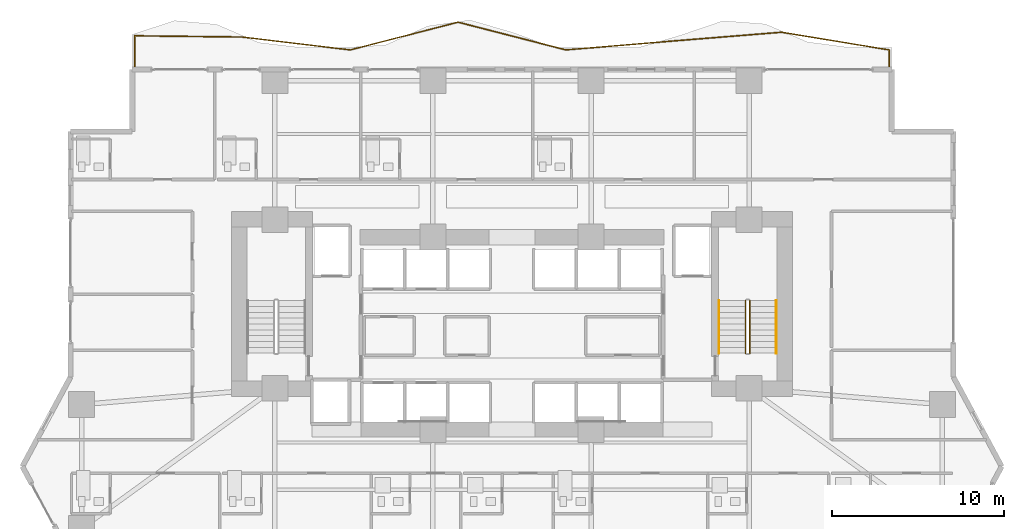
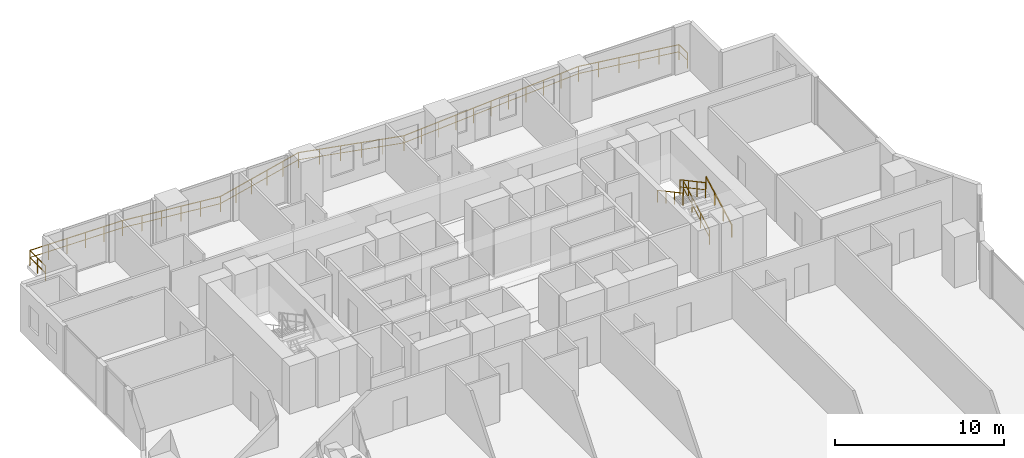
# One storey, part 27 of 29: 5 railings.
"""IFC4 building model written with IfcOpenShell, lengths in metres."""

from ifc_helpers import new_model, si_unit, direction, frame, origin, origin_2d, place, context, subcontext, project, spatial, rectangle, extrude, material, type_object, element, save


model = new_model("IFC4")

# Units and contexts
model_context = context("Model", 3, precision=1e-05, world=origin(), true_north=direction((0.0, 1.0)))
body_context = subcontext(model_context, "Body", "Model", "MODEL_VIEW")
ifc_project = project(units=[si_unit("LENGTHUNIT", "METRE"), si_unit("AREAUNIT", "SQUARE_METRE"), si_unit("VOLUMEUNIT", "CUBIC_METRE"), si_unit("PLANEANGLEUNIT", "RADIAN"), si_unit("MASSUNIT", "GRAM", prefix="KILO")], contexts=[model_context])

# Site, building, storey
site_placement = place(None, origin())
site = spatial("IfcSite", under=ifc_project, at=site_placement, CompositionType="ELEMENT")
building_placement = place(site_placement, origin())
building = spatial("IfcBuilding", under=site, at=building_placement, Name="Zuhayl Quay Hotel", CompositionType="ELEMENT")
storey_placement = place(building_placement, frame((0.0, 0.0, 42.199951171875)))
storey = spatial("IfcBuildingStorey", under=building, at=storey_placement, Name="L09", CompositionType="ELEMENT", Elevation=42.199951171875)

# Railings
ifc_material_1 = material(Name="Anodised Aluminium and Laminated Glass", Category="aluminium")
railing_type_1 = type_object("IfcRailingType", Name="RL_EXT_BAL_1100", PredefinedType="BALUSTRADE", material=ifc_material_1)
railing_1_placement = place(storey_placement, frame((-21.9599609375, 23.219970703125, 0.0)))
element("IfcRailing", 1, at=railing_1_placement, inside=storey, type_object=railing_type_1, Name="L09 Balcony and Terrace Guard GR_L09_BAL_N", PredefinedType="BALUSTRADE", context=body_context, shape_type="SweptSolid", body=[
    extrude(rectangle(XDim=0.048095703125, YDim=0.048095703125, at=origin_2d()), frame((0.0, 0.0, 1.09619140625), z_axis=(0.0, 1.0, 0.0), x_axis=(-1.0, 0.0, 0.0)), (0.0, 0.0, 1.0), 1.841064453125),
    extrude(rectangle(XDim=0.0361328125, YDim=0.0361328125, at=origin_2d()), frame((0.0, 0.0, 0.58251953125), z_axis=(0.0, 1.0, 0.0), x_axis=(-1.0, 0.0, 0.0)), (0.0, 0.0, 1.0), 1.841064453125),
    extrude(rectangle(XDim=0.048095703125, YDim=0.048095703125, at=origin_2d()), frame((0.0, 1.841064453125, 1.09619140625), z_axis=(0.999935012406, -0.011400480899, 0.0), x_axis=(0.011400480899, 0.999935012406, 0.0)), (0.0, 0.0, 1.0), 6.274658203125),
    extrude(rectangle(XDim=0.0361328125, YDim=0.0361328125, at=origin_2d()), frame((0.0, 1.841064453125, 0.58251953125), z_axis=(0.999935012406, -0.011400480899, 0.0), x_axis=(0.011400480899, 0.999935012406, 0.0)), (0.0, 0.0, 1.0), 6.274658203125),
    extrude(rectangle(XDim=0.048095703125, YDim=0.048095703125, at=origin_2d()), frame((6.274169921875, 1.76953125, 1.09619140625), z_axis=(0.992940682079, -0.118611980311, 0.0), x_axis=(0.118611980311, 0.992940682079, 0.0)), (0.0, 0.0, 1.0), 6.319091796875),
    extrude(rectangle(XDim=0.0361328125, YDim=0.0361328125, at=origin_2d()), frame((6.274169921875, 1.76953125, 0.58251953125), z_axis=(0.992940682079, -0.118611980311, 0.0), x_axis=(0.118611980311, 0.992940682079, 0.0)), (0.0, 0.0, 1.0), 6.319091796875),
    extrude(rectangle(XDim=0.048095703125, YDim=0.048095703125, at=origin_2d()), frame((12.548583984375, 1.02001953125, 1.09619140625), z_axis=(0.968450328761, 0.249206662676, 0.0), x_axis=(-0.249206662676, 0.968450328761, 0.0)), (0.0, 0.0, 1.0), 6.478515625),
    extrude(rectangle(XDim=0.0361328125, YDim=0.0361328125, at=origin_2d()), frame((12.548583984375, 1.02001953125, 0.58251953125), z_axis=(0.968450328761, 0.249206662676, 0.0), x_axis=(-0.249206662676, 0.968450328761, 0.0)), (0.0, 0.0, 1.0), 6.478515625),
    extrude(rectangle(XDim=0.048095703125, YDim=0.048095703125, at=origin_2d()), frame((18.82275390625, 2.634521484375, 1.09619140625), z_axis=(0.968452668981, -0.249197568092, 0.0), x_axis=(0.249197568092, 0.968452668981, 0.0)), (0.0, 0.0, 1.0), 6.478759765625),
    extrude(rectangle(XDim=0.0361328125, YDim=0.0361328125, at=origin_2d()), frame((18.82275390625, 2.634521484375, 0.58251953125), z_axis=(0.968452668981, -0.249197568092, 0.0), x_axis=(0.249197568092, 0.968452668981, 0.0)), (0.0, 0.0, 1.0), 6.478759765625),
    extrude(rectangle(XDim=0.048095703125, YDim=0.048095703125, at=origin_2d()), frame((25.09716796875, 1.02001953125, 1.09619140625), z_axis=(0.996550837609, 0.082984504941, 0.0), x_axis=(-0.082984504941, 0.996550837609, 0.0)), (0.0, 0.0, 1.0), 6.2958984375),
    extrude(rectangle(XDim=0.0361328125, YDim=0.0361328125, at=origin_2d()), frame((25.09716796875, 1.02001953125, 0.58251953125), z_axis=(0.996550837609, 0.082984504941, 0.0), x_axis=(-0.082984504941, 0.996550837609, 0.0)), (0.0, 0.0, 1.0), 6.2958984375),
    extrude(rectangle(XDim=0.048095703125, YDim=0.048095703125, at=origin_2d()), frame((31.371337890625, 1.54248046875, 1.09619140625), z_axis=(0.996756432373, 0.080477416232, 0.0), x_axis=(-0.080477416232, 0.996756432373, 0.0)), (0.0, 0.0, 1.0), 6.294921875),
    extrude(rectangle(XDim=0.0361328125, YDim=0.0361328125, at=origin_2d()), frame((31.371337890625, 1.54248046875, 0.58251953125), z_axis=(0.996756432373, 0.080477416232, 0.0), x_axis=(-0.080477416232, 0.996756432373, 0.0)), (0.0, 0.0, 1.0), 6.294921875),
    extrude(rectangle(XDim=0.048095703125, YDim=0.048095703125, at=origin_2d()), frame((37.645751953125, 2.049072265625, 1.09619140625), z_axis=(0.986815100311, -0.161851653676, 0.0), x_axis=(0.161851653676, 0.986815100311, 0.0)), (0.0, 0.0, 1.0), 6.35791015625),
    extrude(rectangle(XDim=0.0361328125, YDim=0.0361328125, at=origin_2d()), frame((37.645751953125, 2.049072265625, 0.58251953125), z_axis=(0.986815100311, -0.161851653676, 0.0), x_axis=(0.161851653676, 0.986815100311, 0.0)), (0.0, 0.0, 1.0), 6.35791015625),
    extrude(rectangle(XDim=0.048095703125, YDim=0.048095703125, at=origin_2d()), frame((43.919921875, 1.02001953125, 1.09619140625), z_axis=(0.0, -1.0, 0.0), x_axis=(1.0, 0.0, 0.0)), (0.0, 0.0, 1.0), 1.02001953125),
    extrude(rectangle(XDim=0.0361328125, YDim=0.0361328125, at=origin_2d()), frame((43.919921875, 1.02001953125, 0.58251953125), z_axis=(0.0, -1.0, 0.0), x_axis=(1.0, 0.0, 0.0)), (0.0, 0.0, 1.0), 1.02001953125),
    extrude(rectangle(XDim=0.0419921875, YDim=0.0419921875, at=origin_2d()), origin(), (0.0, 0.0, 1.0), 1.072021484375),
    extrude(rectangle(XDim=0.0419921875, YDim=0.0419921875, at=origin_2d()), frame((0.0, 0.92041015625, 0.0)), (0.0, 0.0, 1.0), 1.072021484375),
    extrude(rectangle(XDim=0.0419921875, YDim=0.0419921875, at=origin_2d()), frame((0.0, 1.841064453125, 0.0)), (0.0, 0.0, 1.0), 1.072021484375),
    extrude(rectangle(XDim=0.0419921875, YDim=0.0419921875, at=origin_2d()), frame((1.2548828125, 1.82666015625, 0.0)), (0.0, 0.0, 1.0), 1.072021484375),
    extrude(rectangle(XDim=0.0419921875, YDim=0.0419921875, at=origin_2d()), frame((2.509765625, 1.8125, 0.0)), (0.0, 0.0, 1.0), 1.072021484375),
    extrude(rectangle(XDim=0.0419921875, YDim=0.0419921875, at=origin_2d()), frame((3.764404296875, 1.798095703125, 0.0)), (0.0, 0.0, 1.0), 1.072021484375),
    extrude(rectangle(XDim=0.0419921875, YDim=0.0419921875, at=origin_2d()), frame((5.019287109375, 1.783935546875, 0.0)), (0.0, 0.0, 1.0), 1.072021484375),
    extrude(rectangle(XDim=0.0419921875, YDim=0.0419921875, at=origin_2d()), frame((6.274169921875, 1.76953125, 0.0)), (0.0, 0.0, 1.0), 1.072021484375),
    extrude(rectangle(XDim=0.0419921875, YDim=0.0419921875, at=origin_2d()), frame((7.529052734375, 1.61962890625, 0.0)), (0.0, 0.0, 1.0), 1.072021484375),
    extrude(rectangle(XDim=0.0419921875, YDim=0.0419921875, at=origin_2d()), frame((8.783935546875, 1.4697265625, 0.0)), (0.0, 0.0, 1.0), 1.072021484375),
    extrude(rectangle(XDim=0.0419921875, YDim=0.0419921875, at=origin_2d()), frame((10.038818359375, 1.31982421875, 0.0)), (0.0, 0.0, 1.0), 1.072021484375),
    extrude(rectangle(XDim=0.0419921875, YDim=0.0419921875, at=origin_2d()), frame((11.293701171875, 1.169921875, 0.0)), (0.0, 0.0, 1.0), 1.072021484375),
    extrude(rectangle(XDim=0.0419921875, YDim=0.0419921875, at=origin_2d()), frame((12.548583984375, 1.02001953125, 0.0)), (0.0, 0.0, 1.0), 1.072021484375),
    extrude(rectangle(XDim=0.0419921875, YDim=0.0419921875, at=origin_2d()), frame((13.803466796875, 1.343017578125, 0.0)), (0.0, 0.0, 1.0), 1.072021484375),
    extrude(rectangle(XDim=0.0419921875, YDim=0.0419921875, at=origin_2d()), frame((15.058349609375, 1.665771484375, 0.0)), (0.0, 0.0, 1.0), 1.072021484375),
    extrude(rectangle(XDim=0.0419921875, YDim=0.0419921875, at=origin_2d()), frame((16.31298828125, 1.98876953125, 0.0)), (0.0, 0.0, 1.0), 1.072021484375),
    extrude(rectangle(XDim=0.0419921875, YDim=0.0419921875, at=origin_2d()), frame((17.56787109375, 2.3115234375, 0.0)), (0.0, 0.0, 1.0), 1.072021484375),
    extrude(rectangle(XDim=0.0419921875, YDim=0.0419921875, at=origin_2d()), frame((18.82275390625, 2.634521484375, 0.0)), (0.0, 0.0, 1.0), 1.072021484375),
    extrude(rectangle(XDim=0.0419921875, YDim=0.0419921875, at=origin_2d()), frame((20.07763671875, 2.3115234375, 0.0)), (0.0, 0.0, 1.0), 1.072021484375),
    extrude(rectangle(XDim=0.0419921875, YDim=0.0419921875, at=origin_2d()), frame((21.33251953125, 1.98876953125, 0.0)), (0.0, 0.0, 1.0), 1.072021484375),
    extrude(rectangle(XDim=0.0419921875, YDim=0.0419921875, at=origin_2d()), frame((22.58740234375, 1.665771484375, 0.0)), (0.0, 0.0, 1.0), 1.072021484375),
    extrude(rectangle(XDim=0.0419921875, YDim=0.0419921875, at=origin_2d()), frame((23.84228515625, 1.343017578125, 0.0)), (0.0, 0.0, 1.0), 1.072021484375),
    extrude(rectangle(XDim=0.0419921875, YDim=0.0419921875, at=origin_2d()), frame((25.09716796875, 1.02001953125, 0.0)), (0.0, 0.0, 1.0), 1.072021484375),
    extrude(rectangle(XDim=0.0419921875, YDim=0.0419921875, at=origin_2d()), frame((26.35205078125, 1.12451171875, 0.0)), (0.0, 0.0, 1.0), 1.072021484375),
    extrude(rectangle(XDim=0.0419921875, YDim=0.0419921875, at=origin_2d()), frame((27.60693359375, 1.22900390625, 0.0)), (0.0, 0.0, 1.0), 1.072021484375),
    extrude(rectangle(XDim=0.0419921875, YDim=0.0419921875, at=origin_2d()), frame((28.861572265625, 1.33349609375, 0.0)), (0.0, 0.0, 1.0), 1.072021484375),
    extrude(rectangle(XDim=0.0419921875, YDim=0.0419921875, at=origin_2d()), frame((30.116455078125, 1.43798828125, 0.0)), (0.0, 0.0, 1.0), 1.072021484375),
    extrude(rectangle(XDim=0.0419921875, YDim=0.0419921875, at=origin_2d()), frame((31.371337890625, 1.54248046875, 0.0)), (0.0, 0.0, 1.0), 1.072021484375),
    extrude(rectangle(XDim=0.0419921875, YDim=0.0419921875, at=origin_2d()), frame((32.626220703125, 1.643798828125, 0.0)), (0.0, 0.0, 1.0), 1.072021484375),
    extrude(rectangle(XDim=0.0419921875, YDim=0.0419921875, at=origin_2d()), frame((33.881103515625, 1.7451171875, 0.0)), (0.0, 0.0, 1.0), 1.072021484375),
    extrude(rectangle(XDim=0.0419921875, YDim=0.0419921875, at=origin_2d()), frame((35.135986328125, 1.846435546875, 0.0)), (0.0, 0.0, 1.0), 1.072021484375),
    extrude(rectangle(XDim=0.0419921875, YDim=0.0419921875, at=origin_2d()), frame((36.390869140625, 1.94775390625, 0.0)), (0.0, 0.0, 1.0), 1.072021484375),
    extrude(rectangle(XDim=0.0419921875, YDim=0.0419921875, at=origin_2d()), frame((37.645751953125, 2.049072265625, 0.0)), (0.0, 0.0, 1.0), 1.072021484375),
    extrude(rectangle(XDim=0.0419921875, YDim=0.0419921875, at=origin_2d()), frame((38.900634765625, 1.84326171875, 0.0)), (0.0, 0.0, 1.0), 1.072021484375),
    extrude(rectangle(XDim=0.0419921875, YDim=0.0419921875, at=origin_2d()), frame((40.155517578125, 1.637451171875, 0.0)), (0.0, 0.0, 1.0), 1.072021484375),
    extrude(rectangle(XDim=0.0419921875, YDim=0.0419921875, at=origin_2d()), frame((41.41015625, 1.431640625, 0.0)), (0.0, 0.0, 1.0), 1.072021484375),
    extrude(rectangle(XDim=0.0419921875, YDim=0.0419921875, at=origin_2d()), frame((42.6650390625, 1.225830078125, 0.0)), (0.0, 0.0, 1.0), 1.072021484375),
    extrude(rectangle(XDim=0.0419921875, YDim=0.0419921875, at=origin_2d()), frame((43.919921875, 1.02001953125, 0.0)), (0.0, 0.0, 1.0), 1.072021484375),
    extrude(rectangle(XDim=0.0419921875, YDim=0.0419921875, at=origin_2d()), frame((43.919921875, 0.0, 0.0)), (0.0, 0.0, 1.0), 1.072021484375),
])
ifc_material_2 = material(Name="Steel ASTM A992 Grade 50", Category="steel")
railing_type_2 = type_object("IfcRailingType", Name="RL_GUARD_1100", PredefinedType="GUARDRAIL", material=ifc_material_2)
railing_2_placement = place(storey_placement, frame((13.840087890625, 6.590087890625, 0.1826171875)))
element("IfcRailing", 2, at=railing_2_placement, inside=storey, type_object=railing_type_2, Name="L09 ST2 stair guard 1", PredefinedType="GUARDRAIL", context=body_context, shape_type="SweptSolid", body=[
    extrude(rectangle(XDim=0.048095703125, YDim=0.048095703125, at=origin_2d()), frame((0.0, 0.0, 1.09619140625), z_axis=(0.0, 0.881102395774, 0.472925541879), x_axis=(-1.0, 0.0, 0.0)), (0.0, 0.0, 1.0), 3.47265625),
    extrude(rectangle(XDim=0.0361328125, YDim=0.0361328125, at=origin_2d()), frame((0.0, 0.0, 0.58251953125), z_axis=(0.0, 0.881102395774, 0.472925541879), x_axis=(-1.0, 0.0, 0.0)), (0.0, 0.0, 1.0), 3.47265625),
    extrude(rectangle(XDim=0.0419921875, YDim=0.0419921875, at=origin_2d()), origin(), (0.0, 0.0, 1.0), 1.072021484375),
    extrude(rectangle(XDim=0.0419921875, YDim=0.0419921875, at=origin_2d()), frame((0.0, 1.02001953125, 0.54736328125)), (0.0, 0.0, 1.0), 1.072021484375),
    extrude(rectangle(XDim=0.0419921875, YDim=0.0419921875, at=origin_2d()), frame((0.0, 2.039794921875, 1.094970703125)), (0.0, 0.0, 1.0), 1.072021484375),
    extrude(rectangle(XDim=0.0419921875, YDim=0.0419921875, at=origin_2d()), frame((0.0, 3.059814453125, 1.642333984375)), (0.0, 0.0, 1.0), 1.072021484375),
])
railing_3_placement = place(storey_placement, frame((13.590087890625, 9.64990234375, 2.007568359375)))
element("IfcRailing", 3, at=railing_3_placement, inside=storey, type_object=railing_type_2, Name="L09 ST2 stair guard 3", PredefinedType="GUARDRAIL", context=body_context, shape_type="SweptSolid", body=[
    extrude(rectangle(XDim=0.048095703125, YDim=0.048095703125, at=origin_2d()), frame((0.0, 0.0, 1.09619140625), z_axis=(0.0, -0.88107310026, 0.472980117973), x_axis=(1.0, 0.0, 0.0)), (0.0, 0.0, 1.0), 3.472900390625),
    extrude(rectangle(XDim=0.0361328125, YDim=0.0361328125, at=origin_2d()), frame((0.0, 0.0, 0.58251953125), z_axis=(0.0, -0.88107310026, 0.472980117973), x_axis=(1.0, 0.0, 0.0)), (0.0, 0.0, 1.0), 3.472900390625),
    extrude(rectangle(XDim=0.0419921875, YDim=0.0419921875, at=origin_2d()), origin(), (0.0, 0.0, 1.0), 1.072021484375),
    extrude(rectangle(XDim=0.0419921875, YDim=0.0419921875, at=origin_2d()), frame((0.0, -1.02001953125, 0.547607421875)), (0.0, 0.0, 1.0), 1.072021484375),
    extrude(rectangle(XDim=0.0419921875, YDim=0.0419921875, at=origin_2d()), frame((0.0, -2.039794921875, 1.094970703125)), (0.0, 0.0, 1.0), 1.072021484375),
    extrude(rectangle(XDim=0.0419921875, YDim=0.0419921875, at=origin_2d()), frame((0.0, -3.059814453125, 1.642578125)), (0.0, 0.0, 1.0), 1.072021484375),
])
railing_type_3 = type_object("IfcRailingType", Name="RL_HANDRAIL_920", PredefinedType="HANDRAIL", material=ifc_material_2)
railing_4_placement = place(storey_placement, frame((15.3798828125, 6.590087890625, 0.1826171875)))
element("IfcRailing", 4, at=railing_4_placement, inside=storey, type_object=railing_type_3, Name="L09 ST2 stair handrail 1", PredefinedType="HANDRAIL", context=body_context, shape_type="SweptSolid", body=[
    extrude(rectangle(XDim=0.048095703125, YDim=0.048095703125, at=origin_2d()), frame((0.0, 0.0, 0.8759765625), z_axis=(0.0, 0.881102395774, 0.472925541879), x_axis=(-1.0, 0.0, 0.0)), (0.0, 0.0, 1.0), 3.47265625),
    extrude(rectangle(XDim=0.0419921875, YDim=0.0419921875, at=origin_2d()), origin(), (0.0, 0.0, 1.0), 0.851806640625),
    extrude(rectangle(XDim=0.0419921875, YDim=0.0419921875, at=origin_2d()), frame((0.0, 1.02001953125, 0.54736328125)), (0.0, 0.0, 1.0), 0.851806640625),
    extrude(rectangle(XDim=0.0419921875, YDim=0.0419921875, at=origin_2d()), frame((0.0, 2.039794921875, 1.094970703125)), (0.0, 0.0, 1.0), 0.851806640625),
    extrude(rectangle(XDim=0.0419921875, YDim=0.0419921875, at=origin_2d()), frame((0.0, 3.059814453125, 1.642333984375)), (0.0, 0.0, 1.0), 0.851806640625),
])
railing_5_placement = place(storey_placement, frame((12.050048828125, 9.64990234375, 2.007568359375)))
element("IfcRailing", 5, at=railing_5_placement, inside=storey, type_object=railing_type_3, Name="L09 ST2 stair handrail 2", PredefinedType="HANDRAIL", context=body_context, shape_type="SweptSolid", body=[
    extrude(rectangle(XDim=0.048095703125, YDim=0.048095703125, at=origin_2d()), frame((0.0, 0.0, 0.8759765625), z_axis=(0.0, -0.88107310026, 0.472980117973), x_axis=(1.0, 0.0, 0.0)), (0.0, 0.0, 1.0), 3.472900390625),
    extrude(rectangle(XDim=0.0419921875, YDim=0.0419921875, at=origin_2d()), origin(), (0.0, 0.0, 1.0), 0.851806640625),
    extrude(rectangle(XDim=0.0419921875, YDim=0.0419921875, at=origin_2d()), frame((0.0, -1.02001953125, 0.547607421875)), (0.0, 0.0, 1.0), 0.851806640625),
    extrude(rectangle(XDim=0.0419921875, YDim=0.0419921875, at=origin_2d()), frame((0.0, -2.039794921875, 1.094970703125)), (0.0, 0.0, 1.0), 0.851806640625),
    extrude(rectangle(XDim=0.0419921875, YDim=0.0419921875, at=origin_2d()), frame((0.0, -3.059814453125, 1.642578125)), (0.0, 0.0, 1.0), 0.851806640625),
])

save(model, "model.ifc")
